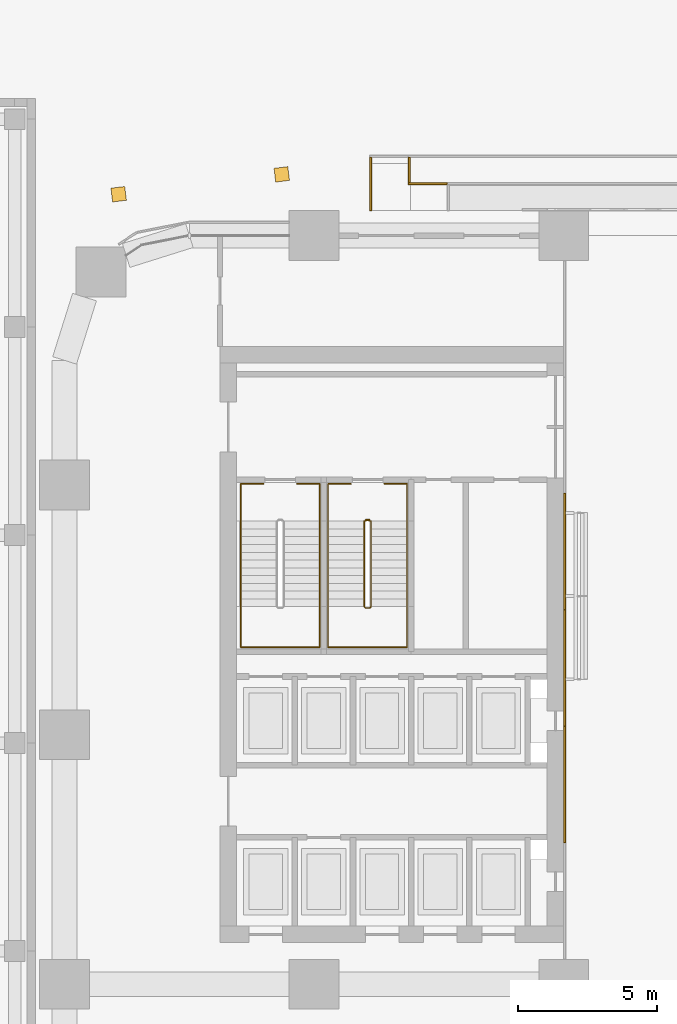
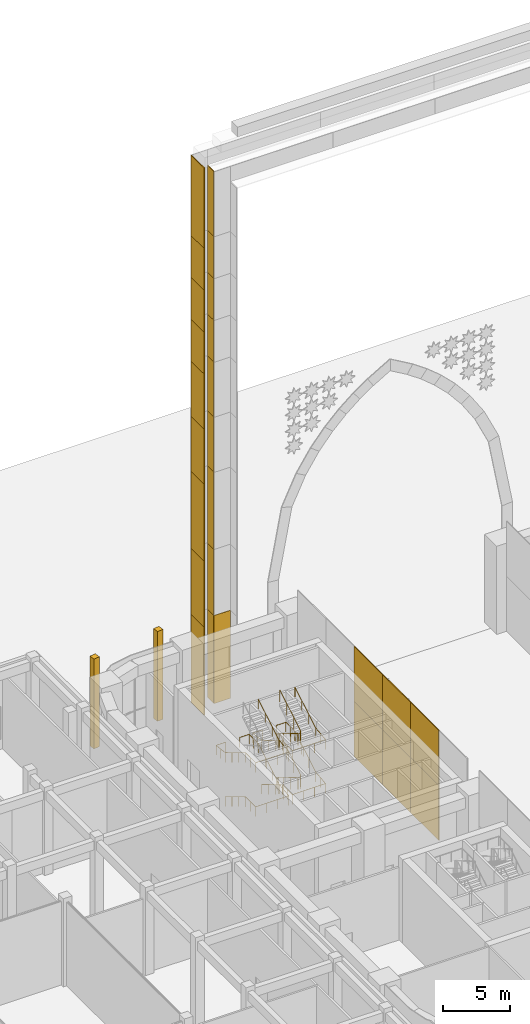
# One storey, part 58 of 64: 27 coverings, 5 railings.
"""IFC4 building model written with IfcOpenShell, lengths in metres."""

from ifc_helpers import new_model, si_unit, direction, frame, origin, origin_2d, place, context, subcontext, project, spatial, rectangle, circle, extrude, material, layer, layer_set, type_object, element, save


model = new_model("IFC4")

# Units and contexts
model_context = context("Model", 3, precision=1e-05, world=origin(), true_north=direction((0.0, 1.0)))
body_context = subcontext(model_context, "Body", "Model", "MODEL_VIEW")
ifc_project = project(units=[si_unit("LENGTHUNIT", "METRE"), si_unit("AREAUNIT", "SQUARE_METRE"), si_unit("VOLUMEUNIT", "CUBIC_METRE"), si_unit("PLANEANGLEUNIT", "RADIAN"), si_unit("MASSUNIT", "GRAM", prefix="KILO")], contexts=[model_context])

# Site, building, storey
site_placement = place(None, origin())
site = spatial("IfcSite", under=ifc_project, at=site_placement, CompositionType="ELEMENT")
building_placement = place(site_placement, origin())
building = spatial("IfcBuilding", under=site, at=building_placement, Name="Tessera Arch", CompositionType="ELEMENT")
storey_placement = place(building_placement, origin())
storey = spatial("IfcBuildingStorey", under=building, at=storey_placement, Name="L00", CompositionType="ELEMENT", Elevation=0.0)

# Coverings
ifc_material_1 = material(Name="Aluminium cladding pale metal anodised", Category="aluminium")
ifc_layer_1 = layer(ifc_material_1, 0.070068359375)
ifc_layer_set_1 = layer_set([ifc_layer_1], Name="Arch jamb panel")
covering_type_1 = type_object("IfcCoveringType", Name="Arch jamb panel", PredefinedType="CLADDING", material=ifc_layer_set_1)
for number, where, z_axis, x_axis, name in (
    (1, (18.034912109375, 34.199951171875, 0.0), (0.0, 0.0, 1.0), (1.0, 0.0, 0.0), "Arch jamb panel W1-8"),
    (2, (18.034912109375, 38.39990234375, 0.0), (0.0, 0.0, 1.0), (1.0, 0.0, 0.0), "Arch jamb panel W1-9"),
    (3, (18.034912109375, 42.60009765625, 0.0), (0.0, 0.0, 1.0), (1.0, 0.0, 0.0), "Arch jamb panel W1-10"),
    (4, (18.034912109375, 34.199951171875, 5.0), (0.0, 0.0, 1.0), (1.0, 0.0, 0.0), "Arch jamb panel W2-8"),
    (5, (18.034912109375, 38.39990234375, 5.0), (0.0, 0.0, 1.0), (1.0, 0.0, 0.0), "Arch jamb panel W2-9"),
    (6, (18.034912109375, 42.60009765625, 5.0), (0.0, 0.0, 1.0), (1.0, 0.0, 0.0), "Arch jamb panel W2-10"),
):
    element("IfcCovering", number, at=place(storey_placement, frame(where, z_axis=z_axis, x_axis=x_axis)), inside=storey, type_object=covering_type_1, Name=name, PredefinedType="CLADDING", context=body_context, shape_type="SweptSolid", body=[
        extrude(rectangle(XDim=0.070068359375, YDim=4.199951171875, at=origin_2d()), origin(), (0.0, 0.0, 1.0), 5.0),
    ])
covering_1_placement = place(storey_placement, frame((11.034912109375, 55.864990234375, 0.0), z_axis=(0.0, 0.0, 1.0), x_axis=(1.0, 0.0, 0.0)))
element("IfcCovering", 7, at=covering_1_placement, inside=storey, type_object=covering_type_1, Name="Gate frame reveal N22", PredefinedType="CLADDING", context=body_context, shape_type="SweptSolid", body=[
    extrude(rectangle(XDim=0.070068359375, YDim=1.929931640625, at=origin_2d()), origin(), (0.0, 0.0, 1.0), 8.0),
])
covering_2_placement = place(storey_placement, frame((11.034912109375, 55.864990234375, 8.0), z_axis=(0.0, 0.0, 1.0), x_axis=(1.0, 0.0, 0.0)))
element("IfcCovering", 8, at=covering_2_placement, inside=storey, type_object=covering_type_1, Name="Gate frame reveal N23", PredefinedType="CLADDING", context=body_context, shape_type="SweptSolid", body=[
    extrude(rectangle(XDim=0.070068359375, YDim=1.929931640625, at=origin_2d()), origin(), (0.0, 0.0, 1.0), 6.0),
])
covering_3_placement = place(storey_placement, frame((11.034912109375, 55.864990234375, 14.0), z_axis=(0.0, 0.0, 1.0), x_axis=(1.0, 0.0, 0.0)))
element("IfcCovering", 9, at=covering_3_placement, inside=storey, type_object=covering_type_1, Name="Gate frame reveal N24", PredefinedType="CLADDING", context=body_context, shape_type="SweptSolid", body=[
    extrude(rectangle(XDim=0.070068359375, YDim=1.929931640625, at=origin_2d()), origin(), (0.0, 0.0, 1.0), 7.0),
])
for number, where, z_axis, x_axis, name in (
    (10, (11.034912109375, 55.864990234375, 21.0), (0.0, 0.0, 1.0), (1.0, 0.0, 0.0), "Gate frame reveal N25"),
    (11, (11.034912109375, 55.864990234375, 26.0), (0.0, 0.0, 1.0), (1.0, 0.0, 0.0), "Gate frame reveal N26"),
):
    element("IfcCovering", number, at=place(storey_placement, frame(where, z_axis=z_axis, x_axis=x_axis)), inside=storey, type_object=covering_type_1, Name=name, PredefinedType="CLADDING", context=body_context, shape_type="SweptSolid", body=[
        extrude(rectangle(XDim=0.070068359375, YDim=1.929931640625, at=origin_2d()), origin(), (0.0, 0.0, 1.0), 5.0),
    ])
for number, where, z_axis, x_axis, name in (
    (12, (11.034912109375, 55.864990234375, 31.0), (0.0, 0.0, 1.0), (1.0, 0.0, 0.0), "Gate frame reveal N27"),
    (13, (11.034912109375, 55.864990234375, 34.7998046875), (0.0, 0.0, 1.0), (1.0, 0.0, 0.0), "Gate frame reveal N28"),
    (14, (11.034912109375, 55.864990234375, 38.60009765625), (0.0, 0.0, 1.0), (1.0, 0.0, 0.0), "Gate frame reveal N29"),
):
    element("IfcCovering", number, at=place(storey_placement, frame(where, z_axis=z_axis, x_axis=x_axis)), inside=storey, type_object=covering_type_1, Name=name, PredefinedType="CLADDING", context=body_context, shape_type="SweptSolid", body=[
        extrude(rectangle(XDim=0.070068359375, YDim=1.929931640625, at=origin_2d()), origin(), (0.0, 0.0, 1.0), 3.800048828125),
    ])
covering_4_placement = place(storey_placement, frame((11.034912109375, 55.864990234375, 42.39990234375), z_axis=(0.0, 0.0, 1.0), x_axis=(1.0, 0.0, 0.0)))
element("IfcCovering", 15, at=covering_4_placement, inside=storey, type_object=covering_type_1, Name="Gate frame reveal N30", PredefinedType="CLADDING", context=body_context, shape_type="SweptSolid", body=[
    extrude(rectangle(XDim=0.070068359375, YDim=1.929931640625, at=origin_2d()), origin(), (0.0, 0.0, 1.0), 7.300048828125),
])
covering_5_placement = place(storey_placement, frame((12.43505859375, 56.364990234375, 0.0), z_axis=(0.0, 0.0, 1.0), x_axis=(1.0, 0.0, 0.0)))
element("IfcCovering", 16, at=covering_5_placement, inside=storey, type_object=covering_type_1, Name="Gate frame reveal N41", PredefinedType="CLADDING", context=body_context, shape_type="SweptSolid", body=[
    extrude(rectangle(XDim=0.070068359375, YDim=0.929931640625, at=origin_2d()), origin(), (0.0, 0.0, 1.0), 8.0),
])
covering_6_placement = place(storey_placement, frame((12.43505859375, 56.364990234375, 8.0), z_axis=(0.0, 0.0, 1.0), x_axis=(1.0, 0.0, 0.0)))
element("IfcCovering", 17, at=covering_6_placement, inside=storey, type_object=covering_type_1, Name="Gate frame reveal N42", PredefinedType="CLADDING", context=body_context, shape_type="SweptSolid", body=[
    extrude(rectangle(XDim=0.070068359375, YDim=0.929931640625, at=origin_2d()), origin(), (0.0, 0.0, 1.0), 6.0),
])
covering_7_placement = place(storey_placement, frame((12.43505859375, 56.364990234375, 14.0), z_axis=(0.0, 0.0, 1.0), x_axis=(1.0, 0.0, 0.0)))
element("IfcCovering", 18, at=covering_7_placement, inside=storey, type_object=covering_type_1, Name="Gate frame reveal N43", PredefinedType="CLADDING", context=body_context, shape_type="SweptSolid", body=[
    extrude(rectangle(XDim=0.070068359375, YDim=0.929931640625, at=origin_2d()), origin(), (0.0, 0.0, 1.0), 7.0),
])
for number, where, z_axis, x_axis, name in (
    (19, (12.43505859375, 56.364990234375, 21.0), (0.0, 0.0, 1.0), (1.0, 0.0, 0.0), "Gate frame reveal N44"),
    (20, (12.43505859375, 56.364990234375, 26.0), (0.0, 0.0, 1.0), (1.0, 0.0, 0.0), "Gate frame reveal N45"),
):
    element("IfcCovering", number, at=place(storey_placement, frame(where, z_axis=z_axis, x_axis=x_axis)), inside=storey, type_object=covering_type_1, Name=name, PredefinedType="CLADDING", context=body_context, shape_type="SweptSolid", body=[
        extrude(rectangle(XDim=0.070068359375, YDim=0.929931640625, at=origin_2d()), origin(), (0.0, 0.0, 1.0), 5.0),
    ])
for number, where, z_axis, x_axis, name in (
    (21, (12.43505859375, 56.364990234375, 31.0), (0.0, 0.0, 1.0), (1.0, 0.0, 0.0), "Gate frame reveal N46"),
    (22, (12.43505859375, 56.364990234375, 34.7998046875), (0.0, 0.0, 1.0), (1.0, 0.0, 0.0), "Gate frame reveal N47"),
    (23, (12.43505859375, 56.364990234375, 38.60009765625), (0.0, 0.0, 1.0), (1.0, 0.0, 0.0), "Gate frame reveal N48"),
):
    element("IfcCovering", number, at=place(storey_placement, frame(where, z_axis=z_axis, x_axis=x_axis)), inside=storey, type_object=covering_type_1, Name=name, PredefinedType="CLADDING", context=body_context, shape_type="SweptSolid", body=[
        extrude(rectangle(XDim=0.070068359375, YDim=0.929931640625, at=origin_2d()), origin(), (0.0, 0.0, 1.0), 3.800048828125),
    ])
covering_8_placement = place(storey_placement, frame((12.43505859375, 56.364990234375, 42.400146484375), z_axis=(0.0, 0.0, 1.0), x_axis=(1.0, 0.0, 0.0)))
element("IfcCovering", 24, at=covering_8_placement, inside=storey, type_object=covering_type_1, Name="Gate frame reveal N49", PredefinedType="CLADDING", context=body_context, shape_type="SweptSolid", body=[
    extrude(rectangle(XDim=0.070068359375, YDim=0.929931640625, at=origin_2d()), origin(), (0.0, 0.0, 1.0), 5.89990234375),
])
covering_9_placement = place(storey_placement, frame((13.10009765625, 55.864990234375, 0.0), z_axis=(0.0, 0.0, 1.0), x_axis=(1.0, 0.0, 0.0)))
element("IfcCovering", 25, at=covering_9_placement, inside=storey, type_object=covering_type_1, Name="Gate frame panel N60", PredefinedType="CLADDING", context=body_context, shape_type="SweptSolid", body=[
    extrude(rectangle(XDim=1.39990234375, YDim=0.070068359375, at=origin_2d()), origin(), (0.0, 0.0, 1.0), 8.0),
])
ifc_material_2 = material(Name="Anodised aluminium pale metal", Category="aluminium")
ifc_layer_2 = layer(ifc_material_2, 0.5)
ifc_layer_set_2 = layer_set([ifc_layer_2], Name="Base plinth pier pale metal")
covering_type_2 = type_object("IfcCoveringType", Name="Base plinth pier pale metal", PredefinedType="CLADDING", material=ifc_layer_set_2)
for number, where, z_axis, x_axis, name in (
    (26, (7.830810546875, 56.208740234375, 0.0), (0.0, 0.0, 1.0), (-0.992658459108, -0.120951161885, 0.0), "Base plinth pier 1"),
    (27, (1.948974609375, 55.491943359375, 0.0), (0.0, 0.0, 1.0), (-0.992658459108, -0.120951161885, 0.0), "Base plinth pier 2"),
):
    element("IfcCovering", number, at=place(storey_placement, frame(where, z_axis=z_axis, x_axis=x_axis)), inside=storey, type_object=covering_type_2, Name=name, PredefinedType="CLADDING", context=body_context, shape_type="SweptSolid", body=[
        extrude(rectangle(XDim=0.5, YDim=0.5, at=origin_2d()), origin(), (0.0, 0.0, 1.0), 8.159912109375),
    ])

# Railings
ifc_material_3 = material(Name="Painted steel balustrade", Category="steel")
railing_type_1 = type_object("IfcRailingType", Name="Stair guard 1100", PredefinedType="GUARDRAIL", material=ifc_material_3)
railing_1_placement = place(storey_placement, frame((10.85009765625, 43.75, 0.0)))
element("IfcRailing", 28, at=railing_1_placement, inside=storey, type_object=railing_type_1, Name="L00 S2b stair guard 1", PredefinedType="GUARDRAIL", context=body_context, shape_type="SweptSolid", body=[
    extrude(circle(Radius=0.02392578125, at=origin_2d()), frame((-0.00390625, 0.0, 1.076171875), z_axis=(1.0, 0.0, 0.0), x_axis=(0.0, 1.0, 0.0)), (0.0, 0.0, 1.0), 0.157958984375),
    extrude(circle(Radius=0.02392578125, at=origin_2d()), frame((0.15283203125, 0.000732421875, 1.073486328125), z_axis=(-0.754182335027, -0.188775798145, 0.628945707965), x_axis=(0.242814311512, -0.970072785993, 0.0)), (0.0, 0.0, 1.0), 0.273193359375),
    extrude(circle(Radius=0.02392578125, at=origin_2d()), frame((-0.050048828125, -0.046630859375, 1.24072265625), z_axis=(0.0, -0.859290745958, 0.51148745235), x_axis=(1.0, 0.0, 0.0)), (0.0, 0.0, 1.0), 3.592041015625),
    extrude(circle(Radius=0.02392578125, at=origin_2d()), frame((-0.052978515625, -3.126953125, 3.076171875), z_axis=(0.707106781187, -0.707106781187, 0.0), x_axis=(0.707106781187, 0.707106781187, 0.0)), (0.0, 0.0, 1.0), 0.078857421875),
    extrude(circle(Radius=0.02392578125, at=origin_2d()), frame((-0.00390625, -3.179931640625, 3.076171875), z_axis=(1.0, 0.0, 0.0), x_axis=(0.0, 1.0, 0.0)), (0.0, 0.0, 1.0), 0.157958984375),
    extrude(circle(Radius=0.02392578125, at=origin_2d()), frame((0.148681640625, -3.18115234375, 3.072265625), z_axis=(0.27628659633, 0.27628659633, 0.920506074601), x_axis=(-0.707106781187, 0.707106781187, 0.0)), (0.0, 0.0, 1.0), 0.189208984375),
    extrude(circle(Radius=0.02392578125, at=origin_2d()), frame((0.199951171875, -3.13330078125, 3.24072265625), z_axis=(0.0, 0.859290745958, 0.51148745235), x_axis=(-1.0, 0.0, 0.0)), (0.0, 0.0, 1.0), 3.592041015625),
    extrude(circle(Radius=0.02392578125, at=origin_2d()), frame((0.203857421875, -0.051025390625, 5.076171875), z_axis=(-0.970072785993, 0.242814311512, 0.0), x_axis=(-0.242814311512, -0.970072785993, 0.0)), (0.0, 0.0, 1.0), 0.214111328125),
    extrude(circle(Radius=0.02392578125, at=origin_2d()), frame((-0.00390625, 0.0, 5.076171875), z_axis=(1.0, 0.0, 0.0), x_axis=(0.0, 1.0, 0.0)), (0.0, 0.0, 1.0), 0.157958984375),
    extrude(circle(Radius=0.02392578125, at=origin_2d()), frame((0.15283203125, 0.000732421875, 5.073486328125), z_axis=(-0.754182335027, -0.188775798145, 0.628945707965), x_axis=(0.242814311512, -0.970072785993, 0.0)), (0.0, 0.0, 1.0), 0.273193359375),
    extrude(circle(Radius=0.02392578125, at=origin_2d()), frame((-0.050048828125, -0.046630859375, 5.24072265625), z_axis=(0.0, -0.859290745958, 0.51148745235), x_axis=(1.0, 0.0, 0.0)), (0.0, 0.0, 1.0), 3.592041015625),
    extrude(circle(Radius=0.02392578125, at=origin_2d()), frame((-0.052978515625, -3.126953125, 7.076171875), z_axis=(0.707106781187, -0.707106781187, 0.0), x_axis=(0.707106781187, 0.707106781187, 0.0)), (0.0, 0.0, 1.0), 0.078857421875),
    extrude(circle(Radius=0.02392578125, at=origin_2d()), frame((-0.00390625, -3.179931640625, 7.076171875), z_axis=(1.0, 0.0, 0.0), x_axis=(0.0, 1.0, 0.0)), (0.0, 0.0, 1.0), 0.157958984375),
    extrude(circle(Radius=0.02392578125, at=origin_2d()), frame((0.148681640625, -3.18115234375, 7.072265625), z_axis=(0.27628659633, 0.27628659633, 0.920506074601), x_axis=(-0.707106781187, 0.707106781187, 0.0)), (0.0, 0.0, 1.0), 0.189208984375),
    extrude(circle(Radius=0.02392578125, at=origin_2d()), frame((0.199951171875, -3.13330078125, 7.24072265625), z_axis=(0.0, 0.859290745958, 0.51148745235), x_axis=(-1.0, 0.0, 0.0)), (0.0, 0.0, 1.0), 3.592041015625),
    extrude(circle(Radius=0.02099609375, at=origin_2d()), origin(), (0.0, 0.0, 1.0), 1.06396484375),
    extrude(circle(Radius=0.02099609375, at=origin_2d()), frame((0.14990234375, 0.0, 0.0)), (0.0, 0.0, 1.0), 1.06396484375),
    extrude(circle(Radius=0.02099609375, at=origin_2d()), frame((-0.050048828125, -0.050048828125, 0.166748046875)), (0.0, 0.0, 1.0), 1.06396484375),
    extrude(circle(Radius=0.02099609375, at=origin_2d()), frame((-0.050048828125, -1.07666015625, 0.77783203125)), (0.0, 0.0, 1.0), 1.06396484375),
    extrude(circle(Radius=0.02099609375, at=origin_2d()), frame((-0.050048828125, -2.103271484375, 1.388916015625)), (0.0, 0.0, 1.0), 1.06396484375),
    extrude(circle(Radius=0.02099609375, at=origin_2d()), frame((-0.050048828125, -3.1298828125, 2.0)), (0.0, 0.0, 1.0), 1.06396484375),
    extrude(circle(Radius=0.02099609375, at=origin_2d()), frame((0.0, -3.179931640625, 2.0)), (0.0, 0.0, 1.0), 1.06396484375),
    extrude(circle(Radius=0.02099609375, at=origin_2d()), frame((0.14990234375, -3.179931640625, 2.0)), (0.0, 0.0, 1.0), 1.06396484375),
    extrude(circle(Radius=0.02099609375, at=origin_2d()), frame((0.199951171875, -3.1298828125, 2.166748046875)), (0.0, 0.0, 1.0), 1.06396484375),
    extrude(circle(Radius=0.02099609375, at=origin_2d()), frame((0.199951171875, -2.103271484375, 2.77783203125)), (0.0, 0.0, 1.0), 1.06396484375),
    extrude(circle(Radius=0.02099609375, at=origin_2d()), frame((0.199951171875, -1.07666015625, 3.388916015625)), (0.0, 0.0, 1.0), 1.06396484375),
    extrude(circle(Radius=0.02099609375, at=origin_2d()), frame((0.199951171875, -0.050048828125, 4.0)), (0.0, 0.0, 1.0), 1.06396484375),
    extrude(circle(Radius=0.02099609375, at=origin_2d()), frame((0.0, 0.0, 4.0)), (0.0, 0.0, 1.0), 1.06396484375),
    extrude(circle(Radius=0.02099609375, at=origin_2d()), frame((0.14990234375, 0.0, 4.0)), (0.0, 0.0, 1.0), 1.06396484375),
    extrude(circle(Radius=0.02099609375, at=origin_2d()), frame((-0.050048828125, -0.050048828125, 4.166748046875)), (0.0, 0.0, 1.0), 1.06396484375),
    extrude(circle(Radius=0.02099609375, at=origin_2d()), frame((-0.050048828125, -1.07666015625, 4.77783203125)), (0.0, 0.0, 1.0), 1.06396484375),
    extrude(circle(Radius=0.02099609375, at=origin_2d()), frame((-0.050048828125, -2.103271484375, 5.388916015625)), (0.0, 0.0, 1.0), 1.06396484375),
    extrude(circle(Radius=0.02099609375, at=origin_2d()), frame((-0.050048828125, -3.1298828125, 6.0)), (0.0, 0.0, 1.0), 1.06396484375),
    extrude(circle(Radius=0.02099609375, at=origin_2d()), frame((0.0, -3.179931640625, 6.0)), (0.0, 0.0, 1.0), 1.06396484375),
    extrude(circle(Radius=0.02099609375, at=origin_2d()), frame((0.14990234375, -3.179931640625, 6.0)), (0.0, 0.0, 1.0), 1.06396484375),
    extrude(circle(Radius=0.02099609375, at=origin_2d()), frame((0.199951171875, -3.1298828125, 6.166748046875)), (0.0, 0.0, 1.0), 1.06396484375),
    extrude(circle(Radius=0.02099609375, at=origin_2d()), frame((0.199951171875, -2.103271484375, 6.77783203125)), (0.0, 0.0, 1.0), 1.06396484375),
    extrude(circle(Radius=0.02099609375, at=origin_2d()), frame((0.199951171875, -1.07666015625, 7.388916015625)), (0.0, 0.0, 1.0), 1.06396484375),
    extrude(circle(Radius=0.02099609375, at=origin_2d()), frame((0.199951171875, -0.050048828125, 8.0)), (0.0, 0.0, 1.0), 1.06396484375),
])
ifc_material_4 = material(Name="Painted steel handrail", Category="steel")
railing_type_2 = type_object("IfcRailingType", Name="Stair handrail 900", PredefinedType="HANDRAIL", material=ifc_material_4)
railing_2_placement = place(storey_placement, frame((6.35009765625, 43.699951171875, 0.166748046875)))
element("IfcRailing", 29, at=railing_2_placement, inside=storey, type_object=railing_type_2, Name="L00 S2a stair handrail", PredefinedType="HANDRAIL", context=body_context, shape_type="SweptSolid", body=[
    extrude(circle(Radius=0.02392578125, at=origin_2d()), frame((0.0, 0.00341796875, 0.873779296875), z_axis=(0.0, -0.859290745958, 0.51148745235), x_axis=(1.0, 0.0, 0.0)), (0.0, 0.0, 1.0), 3.592041015625),
    extrude(circle(Radius=0.02392578125, at=origin_2d()), frame((0.0, -3.075927734375, 2.708984375), z_axis=(0.0, -1.0, 0.0), x_axis=(1.0, 0.0, 0.0)), (0.0, 0.0, 1.0), 1.478271484375),
    extrude(circle(Radius=0.02392578125, at=origin_2d()), frame((-0.00390625, -4.550048828125, 2.708984375), z_axis=(1.0, 0.0, 0.0), x_axis=(0.0, 1.0, 0.0)), (0.0, 0.0, 1.0), 2.85791015625),
    extrude(circle(Radius=0.02392578125, at=origin_2d()), frame((2.849853515625, -4.553955078125, 2.708740234375), z_axis=(0.0, 0.993629632394, 0.112694958307), x_axis=(-1.0, 0.0, 0.0)), (0.0, 0.0, 1.0), 1.487548828125),
    extrude(circle(Radius=0.02392578125, at=origin_2d()), frame((2.849853515625, -3.083251953125, 2.873779296875), z_axis=(0.0, 0.859290745958, 0.51148745235), x_axis=(-1.0, 0.0, 0.0)), (0.0, 0.0, 1.0), 3.592041015625),
    extrude(circle(Radius=0.02392578125, at=origin_2d()), frame((2.849853515625, -0.00390625, 4.708984375), z_axis=(0.0, 1.0, 0.0), x_axis=(-1.0, 0.0, 0.0)), (0.0, 0.0, 1.0), 1.358154296875),
    extrude(circle(Radius=0.02392578125, at=origin_2d()), frame((2.853759765625, 1.35009765625, 4.708984375), z_axis=(-1.0, 0.0, 0.0), x_axis=(0.0, -1.0, 0.0)), (0.0, 0.0, 1.0), 0.8330078125),
    extrude(circle(Radius=0.02099609375, at=origin_2d()), origin(), (0.0, 0.0, 1.0), 0.86376953125),
    extrude(circle(Radius=0.02099609375, at=origin_2d()), frame((0.0, -1.026611328125, 0.611083984375)), (0.0, 0.0, 1.0), 0.86376953125),
    extrude(circle(Radius=0.02099609375, at=origin_2d()), frame((0.0, -2.05322265625, 1.22216796875)), (0.0, 0.0, 1.0), 0.86376953125),
    extrude(circle(Radius=0.02099609375, at=origin_2d()), frame((0.0, -3.079833984375, 1.833251953125)), (0.0, 0.0, 1.0), 0.86376953125),
    extrude(circle(Radius=0.02099609375, at=origin_2d()), frame((0.0, -3.81494140625, 1.833251953125)), (0.0, 0.0, 1.0), 0.86376953125),
    extrude(circle(Radius=0.02099609375, at=origin_2d()), frame((0.0, -4.550048828125, 1.833251953125)), (0.0, 0.0, 1.0), 0.86376953125),
    extrude(circle(Radius=0.02099609375, at=origin_2d()), frame((0.949951171875, -4.550048828125, 1.833251953125)), (0.0, 0.0, 1.0), 0.86376953125),
    extrude(circle(Radius=0.02099609375, at=origin_2d()), frame((1.89990234375, -4.550048828125, 1.833251953125)), (0.0, 0.0, 1.0), 0.86376953125),
    extrude(circle(Radius=0.02099609375, at=origin_2d()), frame((2.849853515625, -4.550048828125, 1.833251953125)), (0.0, 0.0, 1.0), 0.86376953125),
    extrude(circle(Radius=0.02099609375, at=origin_2d()), frame((2.849853515625, -3.81494140625, 1.91650390625)), (0.0, 0.0, 1.0), 0.86376953125),
    extrude(circle(Radius=0.02099609375, at=origin_2d()), frame((2.849853515625, -3.079833984375, 2.0)), (0.0, 0.0, 1.0), 0.86376953125),
    extrude(circle(Radius=0.02099609375, at=origin_2d()), frame((2.849853515625, -2.05322265625, 2.611083984375)), (0.0, 0.0, 1.0), 0.86376953125),
    extrude(circle(Radius=0.02099609375, at=origin_2d()), frame((2.849853515625, -1.026611328125, 3.22216796875)), (0.0, 0.0, 1.0), 0.86376953125),
    extrude(circle(Radius=0.02099609375, at=origin_2d()), frame((2.849853515625, 0.0, 3.833251953125)), (0.0, 0.0, 1.0), 0.86376953125),
    extrude(circle(Radius=0.02099609375, at=origin_2d()), frame((2.849853515625, 0.675048828125, 3.833251953125)), (0.0, 0.0, 1.0), 0.86376953125),
    extrude(circle(Radius=0.02099609375, at=origin_2d()), frame((2.849853515625, 1.35009765625, 3.833251953125)), (0.0, 0.0, 1.0), 0.86376953125),
    extrude(circle(Radius=0.02099609375, at=origin_2d()), frame((2.02490234375, 1.35009765625, 3.833251953125)), (0.0, 0.0, 1.0), 0.86376953125),
])
railing_3_placement = place(storey_placement, frame((7.175048828125, 45.050048828125, 4.0)))
element("IfcRailing", 30, at=railing_3_placement, inside=storey, type_object=railing_type_2, Name="L00 S2a stair handrail 2", PredefinedType="HANDRAIL", context=body_context, shape_type="SweptSolid", body=[
    extrude(circle(Radius=0.02392578125, at=origin_2d()), frame((0.00390625, 0.0, 0.8759765625), z_axis=(-1.0, 0.0, 0.0), x_axis=(0.0, -1.0, 0.0)), (0.0, 0.0, 1.0), 0.8330078125),
    extrude(circle(Radius=0.02392578125, at=origin_2d()), frame((-0.824951171875, 0.00390625, 0.875244140625), z_axis=(0.0, -0.992459035033, 0.122576766895), x_axis=(1.0, 0.0, 0.0)), (0.0, 0.0, 1.0), 1.368408203125),
    extrude(circle(Radius=0.02392578125, at=origin_2d()), frame((-0.824951171875, -1.3466796875, 1.04052734375), z_axis=(0.0, -0.859290745958, 0.51148745235), x_axis=(1.0, 0.0, 0.0)), (0.0, 0.0, 1.0), 3.592041015625),
    extrude(circle(Radius=0.02392578125, at=origin_2d()), frame((-0.824951171875, -4.426025390625, 2.8759765625), z_axis=(0.0, -1.0, 0.0), x_axis=(1.0, 0.0, 0.0)), (0.0, 0.0, 1.0), 1.478271484375),
    extrude(circle(Radius=0.02392578125, at=origin_2d()), frame((-0.828857421875, -5.900146484375, 2.8759765625), z_axis=(1.0, 0.0, 0.0), x_axis=(0.0, 1.0, 0.0)), (0.0, 0.0, 1.0), 2.85791015625),
    extrude(circle(Radius=0.02392578125, at=origin_2d()), frame((2.02490234375, -5.904052734375, 2.87548828125), z_axis=(0.0, 0.993629632394, 0.112694958307), x_axis=(-1.0, 0.0, 0.0)), (0.0, 0.0, 1.0), 1.487548828125),
    extrude(circle(Radius=0.02392578125, at=origin_2d()), frame((2.02490234375, -4.433349609375, 3.04052734375), z_axis=(0.0, 0.859290745958, 0.51148745235), x_axis=(-1.0, 0.0, 0.0)), (0.0, 0.0, 1.0), 3.592041015625),
    extrude(circle(Radius=0.02099609375, at=origin_2d()), origin(), (0.0, 0.0, 1.0), 0.86376953125),
    extrude(circle(Radius=0.02099609375, at=origin_2d()), frame((-0.824951171875, 0.0, 0.0)), (0.0, 0.0, 1.0), 0.86376953125),
    extrude(circle(Radius=0.02099609375, at=origin_2d()), frame((-0.824951171875, -0.675048828125, 0.08349609375)), (0.0, 0.0, 1.0), 0.86376953125),
    extrude(circle(Radius=0.02099609375, at=origin_2d()), frame((-0.824951171875, -1.35009765625, 0.166748046875)), (0.0, 0.0, 1.0), 0.86376953125),
    extrude(circle(Radius=0.02099609375, at=origin_2d()), frame((-0.824951171875, -2.376708984375, 0.77783203125)), (0.0, 0.0, 1.0), 0.86376953125),
    extrude(circle(Radius=0.02099609375, at=origin_2d()), frame((-0.824951171875, -3.4033203125, 1.388916015625)), (0.0, 0.0, 1.0), 0.86376953125),
    extrude(circle(Radius=0.02099609375, at=origin_2d()), frame((-0.824951171875, -4.429931640625, 2.0)), (0.0, 0.0, 1.0), 0.86376953125),
    extrude(circle(Radius=0.02099609375, at=origin_2d()), frame((-0.824951171875, -5.1650390625, 2.0)), (0.0, 0.0, 1.0), 0.86376953125),
    extrude(circle(Radius=0.02099609375, at=origin_2d()), frame((-0.824951171875, -5.900146484375, 2.0)), (0.0, 0.0, 1.0), 0.86376953125),
    extrude(circle(Radius=0.02099609375, at=origin_2d()), frame((0.125, -5.900146484375, 2.0)), (0.0, 0.0, 1.0), 0.86376953125),
    extrude(circle(Radius=0.02099609375, at=origin_2d()), frame((1.074951171875, -5.900146484375, 2.0)), (0.0, 0.0, 1.0), 0.86376953125),
    extrude(circle(Radius=0.02099609375, at=origin_2d()), frame((2.02490234375, -5.900146484375, 2.0)), (0.0, 0.0, 1.0), 0.86376953125),
    extrude(circle(Radius=0.02099609375, at=origin_2d()), frame((2.02490234375, -5.1650390625, 2.08349609375)), (0.0, 0.0, 1.0), 0.86376953125),
    extrude(circle(Radius=0.02099609375, at=origin_2d()), frame((2.02490234375, -4.429931640625, 2.166748046875)), (0.0, 0.0, 1.0), 0.86376953125),
    extrude(circle(Radius=0.02099609375, at=origin_2d()), frame((2.02490234375, -3.4033203125, 2.77783203125)), (0.0, 0.0, 1.0), 0.86376953125),
    extrude(circle(Radius=0.02099609375, at=origin_2d()), frame((2.02490234375, -2.376708984375, 3.388916015625)), (0.0, 0.0, 1.0), 0.86376953125),
    extrude(circle(Radius=0.02099609375, at=origin_2d()), frame((2.02490234375, -1.35009765625, 4.0)), (0.0, 0.0, 1.0), 0.86376953125),
])
railing_4_placement = place(storey_placement, frame((9.5, 43.699951171875, 0.166748046875)))
element("IfcRailing", 31, at=railing_4_placement, inside=storey, type_object=railing_type_2, Name="L00 S2b stair handrail", PredefinedType="HANDRAIL", context=body_context, shape_type="SweptSolid", body=[
    extrude(circle(Radius=0.02392578125, at=origin_2d()), frame((0.0, 0.00341796875, 0.873779296875), z_axis=(0.0, -0.859290745958, 0.51148745235), x_axis=(1.0, 0.0, 0.0)), (0.0, 0.0, 1.0), 3.592041015625),
    extrude(circle(Radius=0.02392578125, at=origin_2d()), frame((0.0, -3.075927734375, 2.708984375), z_axis=(0.0, -1.0, 0.0), x_axis=(1.0, 0.0, 0.0)), (0.0, 0.0, 1.0), 1.478271484375),
    extrude(circle(Radius=0.02392578125, at=origin_2d()), frame((-0.00390625, -4.550048828125, 2.708984375), z_axis=(1.0, 0.0, 0.0), x_axis=(0.0, 1.0, 0.0)), (0.0, 0.0, 1.0), 2.858154296875),
    extrude(circle(Radius=0.02392578125, at=origin_2d()), frame((2.85009765625, -4.553955078125, 2.708740234375), z_axis=(0.0, 0.993629632394, 0.112694958307), x_axis=(-1.0, 0.0, 0.0)), (0.0, 0.0, 1.0), 1.487548828125),
    extrude(circle(Radius=0.02392578125, at=origin_2d()), frame((2.85009765625, -3.083251953125, 2.873779296875), z_axis=(0.0, 0.859290745958, 0.51148745235), x_axis=(-1.0, 0.0, 0.0)), (0.0, 0.0, 1.0), 3.592041015625),
    extrude(circle(Radius=0.02392578125, at=origin_2d()), frame((2.85009765625, -0.00390625, 4.708984375), z_axis=(0.0, 1.0, 0.0), x_axis=(-1.0, 0.0, 0.0)), (0.0, 0.0, 1.0), 1.358154296875),
    extrude(circle(Radius=0.02392578125, at=origin_2d()), frame((2.85400390625, 1.35009765625, 4.708984375), z_axis=(-1.0, 0.0, 0.0), x_axis=(0.0, -1.0, 0.0)), (0.0, 0.0, 1.0), 0.833251953125),
    extrude(circle(Radius=0.02099609375, at=origin_2d()), origin(), (0.0, 0.0, 1.0), 0.86376953125),
    extrude(circle(Radius=0.02099609375, at=origin_2d()), frame((0.0, -1.026611328125, 0.611083984375)), (0.0, 0.0, 1.0), 0.86376953125),
    extrude(circle(Radius=0.02099609375, at=origin_2d()), frame((0.0, -2.05322265625, 1.22216796875)), (0.0, 0.0, 1.0), 0.86376953125),
    extrude(circle(Radius=0.02099609375, at=origin_2d()), frame((0.0, -3.079833984375, 1.833251953125)), (0.0, 0.0, 1.0), 0.86376953125),
    extrude(circle(Radius=0.02099609375, at=origin_2d()), frame((0.0, -3.81494140625, 1.833251953125)), (0.0, 0.0, 1.0), 0.86376953125),
    extrude(circle(Radius=0.02099609375, at=origin_2d()), frame((0.0, -4.550048828125, 1.833251953125)), (0.0, 0.0, 1.0), 0.86376953125),
    extrude(circle(Radius=0.02099609375, at=origin_2d()), frame((0.949951171875, -4.550048828125, 1.833251953125)), (0.0, 0.0, 1.0), 0.86376953125),
    extrude(circle(Radius=0.02099609375, at=origin_2d()), frame((1.900146484375, -4.550048828125, 1.833251953125)), (0.0, 0.0, 1.0), 0.86376953125),
    extrude(circle(Radius=0.02099609375, at=origin_2d()), frame((2.85009765625, -4.550048828125, 1.833251953125)), (0.0, 0.0, 1.0), 0.86376953125),
    extrude(circle(Radius=0.02099609375, at=origin_2d()), frame((2.85009765625, -3.81494140625, 1.91650390625)), (0.0, 0.0, 1.0), 0.86376953125),
    extrude(circle(Radius=0.02099609375, at=origin_2d()), frame((2.85009765625, -3.079833984375, 2.0)), (0.0, 0.0, 1.0), 0.86376953125),
    extrude(circle(Radius=0.02099609375, at=origin_2d()), frame((2.85009765625, -2.05322265625, 2.611083984375)), (0.0, 0.0, 1.0), 0.86376953125),
    extrude(circle(Radius=0.02099609375, at=origin_2d()), frame((2.85009765625, -1.026611328125, 3.22216796875)), (0.0, 0.0, 1.0), 0.86376953125),
    extrude(circle(Radius=0.02099609375, at=origin_2d()), frame((2.85009765625, 0.0, 3.833251953125)), (0.0, 0.0, 1.0), 0.86376953125),
    extrude(circle(Radius=0.02099609375, at=origin_2d()), frame((2.85009765625, 0.675048828125, 3.833251953125)), (0.0, 0.0, 1.0), 0.86376953125),
    extrude(circle(Radius=0.02099609375, at=origin_2d()), frame((2.85009765625, 1.35009765625, 3.833251953125)), (0.0, 0.0, 1.0), 0.86376953125),
    extrude(circle(Radius=0.02099609375, at=origin_2d()), frame((2.02490234375, 1.35009765625, 3.833251953125)), (0.0, 0.0, 1.0), 0.86376953125),
])
railing_5_placement = place(storey_placement, frame((10.324951171875, 45.050048828125, 4.0)))
element("IfcRailing", 32, at=railing_5_placement, inside=storey, type_object=railing_type_2, Name="L00 S2b stair handrail 2", PredefinedType="HANDRAIL", context=body_context, shape_type="SweptSolid", body=[
    extrude(circle(Radius=0.02392578125, at=origin_2d()), frame((0.00390625, 0.0, 0.8759765625), z_axis=(-1.0, 0.0, 0.0), x_axis=(0.0, -1.0, 0.0)), (0.0, 0.0, 1.0), 0.8330078125),
    extrude(circle(Radius=0.02392578125, at=origin_2d()), frame((-0.824951171875, 0.00390625, 0.875244140625), z_axis=(0.0, -0.992459035033, 0.122576766895), x_axis=(1.0, 0.0, 0.0)), (0.0, 0.0, 1.0), 1.368408203125),
    extrude(circle(Radius=0.02392578125, at=origin_2d()), frame((-0.824951171875, -1.3466796875, 1.04052734375), z_axis=(0.0, -0.859290745958, 0.51148745235), x_axis=(1.0, 0.0, 0.0)), (0.0, 0.0, 1.0), 3.592041015625),
    extrude(circle(Radius=0.02392578125, at=origin_2d()), frame((-0.824951171875, -4.426025390625, 2.8759765625), z_axis=(0.0, -1.0, 0.0), x_axis=(1.0, 0.0, 0.0)), (0.0, 0.0, 1.0), 1.478271484375),
    extrude(circle(Radius=0.02392578125, at=origin_2d()), frame((-0.828857421875, -5.900146484375, 2.8759765625), z_axis=(1.0, 0.0, 0.0), x_axis=(0.0, 1.0, 0.0)), (0.0, 0.0, 1.0), 2.858154296875),
    extrude(circle(Radius=0.02392578125, at=origin_2d()), frame((2.025146484375, -5.904052734375, 2.87548828125), z_axis=(0.0, 0.993629632394, 0.112694958307), x_axis=(-1.0, 0.0, 0.0)), (0.0, 0.0, 1.0), 1.487548828125),
    extrude(circle(Radius=0.02392578125, at=origin_2d()), frame((2.025146484375, -4.433349609375, 3.04052734375), z_axis=(0.0, 0.859290745958, 0.51148745235), x_axis=(-1.0, 0.0, 0.0)), (0.0, 0.0, 1.0), 3.592041015625),
    extrude(circle(Radius=0.02099609375, at=origin_2d()), origin(), (0.0, 0.0, 1.0), 0.86376953125),
    extrude(circle(Radius=0.02099609375, at=origin_2d()), frame((-0.824951171875, 0.0, 0.0)), (0.0, 0.0, 1.0), 0.86376953125),
    extrude(circle(Radius=0.02099609375, at=origin_2d()), frame((-0.824951171875, -0.675048828125, 0.08349609375)), (0.0, 0.0, 1.0), 0.86376953125),
    extrude(circle(Radius=0.02099609375, at=origin_2d()), frame((-0.824951171875, -1.35009765625, 0.166748046875)), (0.0, 0.0, 1.0), 0.86376953125),
    extrude(circle(Radius=0.02099609375, at=origin_2d()), frame((-0.824951171875, -2.376708984375, 0.77783203125)), (0.0, 0.0, 1.0), 0.86376953125),
    extrude(circle(Radius=0.02099609375, at=origin_2d()), frame((-0.824951171875, -3.4033203125, 1.388916015625)), (0.0, 0.0, 1.0), 0.86376953125),
    extrude(circle(Radius=0.02099609375, at=origin_2d()), frame((-0.824951171875, -4.429931640625, 2.0)), (0.0, 0.0, 1.0), 0.86376953125),
    extrude(circle(Radius=0.02099609375, at=origin_2d()), frame((-0.824951171875, -5.1650390625, 2.0)), (0.0, 0.0, 1.0), 0.86376953125),
    extrude(circle(Radius=0.02099609375, at=origin_2d()), frame((-0.824951171875, -5.900146484375, 2.0)), (0.0, 0.0, 1.0), 0.86376953125),
    extrude(circle(Radius=0.02099609375, at=origin_2d()), frame((0.125, -5.900146484375, 2.0)), (0.0, 0.0, 1.0), 0.86376953125),
    extrude(circle(Radius=0.02099609375, at=origin_2d()), frame((1.0751953125, -5.900146484375, 2.0)), (0.0, 0.0, 1.0), 0.86376953125),
    extrude(circle(Radius=0.02099609375, at=origin_2d()), frame((2.025146484375, -5.900146484375, 2.0)), (0.0, 0.0, 1.0), 0.86376953125),
    extrude(circle(Radius=0.02099609375, at=origin_2d()), frame((2.025146484375, -5.1650390625, 2.08349609375)), (0.0, 0.0, 1.0), 0.86376953125),
    extrude(circle(Radius=0.02099609375, at=origin_2d()), frame((2.025146484375, -4.429931640625, 2.166748046875)), (0.0, 0.0, 1.0), 0.86376953125),
    extrude(circle(Radius=0.02099609375, at=origin_2d()), frame((2.025146484375, -3.4033203125, 2.77783203125)), (0.0, 0.0, 1.0), 0.86376953125),
    extrude(circle(Radius=0.02099609375, at=origin_2d()), frame((2.025146484375, -2.376708984375, 3.388916015625)), (0.0, 0.0, 1.0), 0.86376953125),
    extrude(circle(Radius=0.02099609375, at=origin_2d()), frame((2.025146484375, -1.35009765625, 4.0)), (0.0, 0.0, 1.0), 0.86376953125),
])

save(model, "model.ifc")
